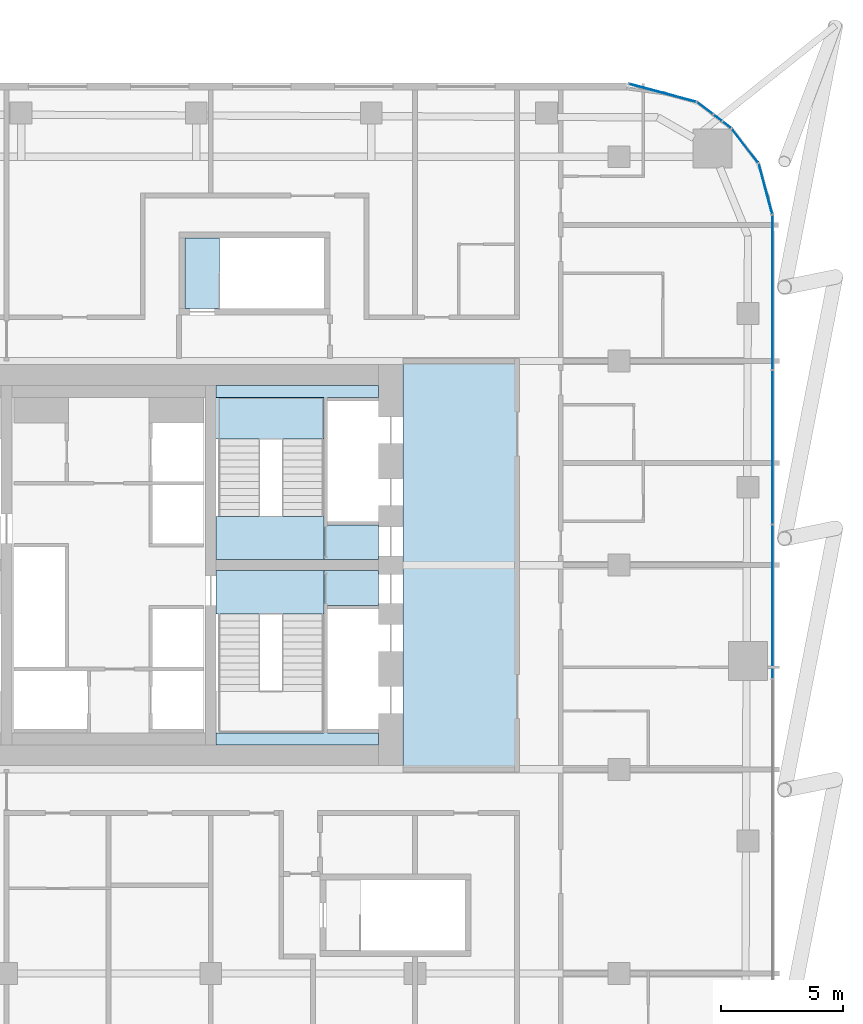
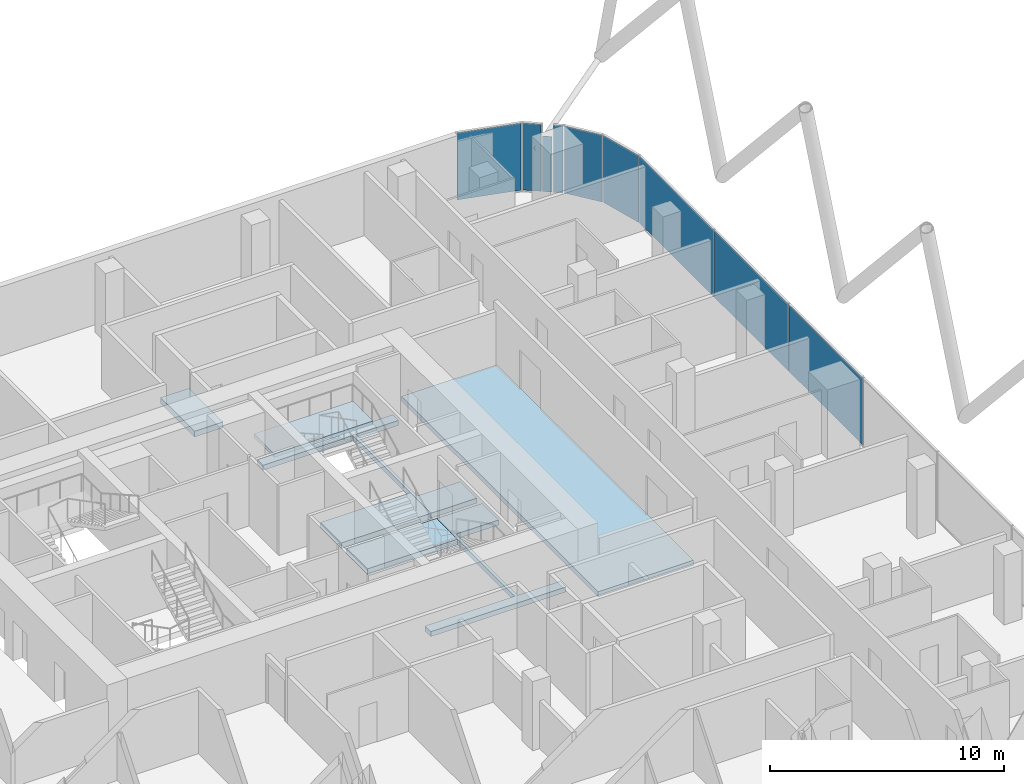
# One storey, part 25 of 34: 9 plates, 7 slabs, 8 elements without a shape of their own.
"""IFC4 building model written with IfcOpenShell, lengths in metres."""

from ifc_helpers import new_model, si_unit, direction, frame, origin, origin_2d, place, context, subcontext, project, spatial, polyline, rectangle, outline, extrude, material, layer, layer_set, type_object, element, aggregate, save


model = new_model("IFC4")

# Units and contexts
model_context = context("Model", 3, precision=1e-05, world=origin(), true_north=direction((0.0, 1.0)))
body_context = subcontext(model_context, "Body", "Model", "MODEL_VIEW")
ifc_project = project(units=[si_unit("LENGTHUNIT", "METRE"), si_unit("AREAUNIT", "SQUARE_METRE"), si_unit("VOLUMEUNIT", "CUBIC_METRE"), si_unit("PLANEANGLEUNIT", "RADIAN"), si_unit("MASSUNIT", "GRAM", prefix="KILO")], contexts=[model_context])

# Site, building, storey
site_placement = place(None, origin())
site = spatial("IfcSite", under=ifc_project, at=site_placement, CompositionType="ELEMENT")
building_placement = place(site_placement, origin())
building = spatial("IfcBuilding", under=site, at=building_placement, Name="Marenta Gate Hotel Tower", CompositionType="ELEMENT")
storey_placement = place(building_placement, frame((0.0, 0.0, 166.10009765625)))
storey = spatial("IfcBuildingStorey", under=building, at=storey_placement, Name="L39", CompositionType="ELEMENT", Elevation=166.10009765625)

# Slabs
ifc_material_1 = material(Name="Concrete C40", Category="concrete")
ifc_layer_1 = layer(ifc_material_1, 0.260009765625)
ifc_layer_set_1 = layer_set([ifc_layer_1], Name="Concrete C40")
slab_type_1 = type_object("IfcSlabType", Name="Core floor slab 260", PredefinedType="FLOOR", material=ifc_layer_set_1)
slab_1_placement = place(storey_placement, frame((0.0, 0.0, -0.260009765625)))
element("IfcSlab", 1, at=slab_1_placement, inside=storey, type_object=slab_type_1, Name="L39-CF-1", PredefinedType="FLOOR", context=body_context, shape_type="SweptSolid", body=[
    extrude(outline(polyline([(12.10009765625, 0.0), (12.10009765625, 16.800048828125), (16.800048828125, 16.800048828125), (16.800048828125, 0.0), (12.10009765625, 0.0)])), origin(), (0.0, 0.0, 1.0), 0.260009765625),
])
slab_2_placement = place(storey_placement, frame((0.0, 0.0, -0.260009765625)))
element("IfcSlab", 2, at=slab_2_placement, inside=storey, type_object=slab_type_1, Name="L39-CF-2", PredefinedType="FLOOR", context=body_context, shape_type="SweptSolid", body=[
    extrude(outline(polyline([(8.85009765625, 1.5), (8.85009765625, 6.39990234375), (8.85009765625, 8.10009765625), (8.85009765625, 8.175048828125), (11.10009765625, 8.175048828125), (11.10009765625, 6.75), (9.0, 6.75), (9.0, 6.60009765625), (9.0, 4.199951171875), (9.0, 4.050048828125), (9.0, 1.64990234375), (9.0, 1.5), (11.10009765625, 1.5), (11.10009765625, 1.0), (4.425048828125, 1.0), (4.425048828125, 1.5), (8.85009765625, 1.5)])), origin(), (0.0, 0.0, 1.0), 0.260009765625),
])
slab_3_placement = place(storey_placement, frame((0.0, 0.0, -0.260009765625)))
element("IfcSlab", 3, at=slab_3_placement, inside=storey, type_object=slab_type_1, Name="L39-CF-3", PredefinedType="FLOOR", context=body_context, shape_type="SweptSolid", body=[
    extrude(outline(polyline([(8.85009765625, 15.300048828125), (4.425048828125, 15.300048828125), (4.425048828125, 15.800048828125), (11.10009765625, 15.800048828125), (11.10009765625, 15.300048828125), (9.0, 15.300048828125), (9.0, 15.14990234375), (9.0, 12.75), (9.0, 12.60009765625), (9.0, 10.199951171875), (9.0, 10.050048828125), (11.10009765625, 10.050048828125), (11.10009765625, 8.625), (8.85009765625, 8.625), (8.85009765625, 8.699951171875), (8.85009765625, 10.39990234375), (8.85009765625, 15.300048828125)])), origin(), (0.0, 0.0, 1.0), 0.260009765625),
])

# Stair, slab
ifc_material_2 = material(Name="Concrete C40", Category="concrete")
stair_type = type_object("IfcStairType", Name="Core exit stair 1700 wide", PredefinedType="HALF_TURN_STAIR", material=ifc_material_2)
stair_placement = place(storey_placement, origin())
stair = element("IfcStair", 4, at=stair_placement, inside=storey, type_object=stair_type, Name="Exit stair 4", PredefinedType="HALF_TURN_STAIR")
ifc_material_3 = material(Name="Concrete C40", Category="concrete")
ifc_layer_2 = layer(ifc_material_3, 0.199951171875)
ifc_layer_set_2 = layer_set([ifc_layer_2], Name="Concrete C40")
slab_type_2 = type_object("IfcSlabType", Name="Core stair landing 200", PredefinedType="LANDING", material=ifc_layer_set_2)
slab_4_placement = place(storey_placement, frame((0.0, 0.0, 1.599853515625)))
slab_4 = element("IfcSlab", 5, at=slab_4_placement, type_object=slab_type_2, Name="SL-200 ST4 landing 1", PredefinedType="LANDING", context=body_context, shape_type="SweptSolid", body=[
    extrude(outline(polyline([(3.97509765625, 13.590087890625), (8.85009765625, 13.590087890625), (8.85009765625, 15.300048828125), (3.97509765625, 15.300048828125), (3.97509765625, 13.590087890625)])), origin(), (0.0, 0.0, 1.0), 0.199951171875),
])
aggregate(stair, [slab_4])

# Curtain wall, plates
ifc_material_4 = material(Name="Tinted insulated glass in bronze anodised frame", Category="glass")
ifc_layer_3 = layer(ifc_material_4, 0.1201171875)
ifc_layer_set_3 = layer_set([ifc_layer_3], Name="Tinted insulated glass in bronze anodised frame")
curtain_wall_type = type_object("IfcCurtainWallType", Name="Tower unitised curtain wall CW1", PredefinedType="NOTDEFINED", material=ifc_layer_set_3)
curtain_wall_1_placement = place(storey_placement, origin())
curtain_wall_1 = element("IfcCurtainWall", 6, at=curtain_wall_1_placement, inside=storey, type_object=curtain_wall_type, Name="CW1 run G19", PredefinedType="NOTDEFINED")
ifc_material_5 = material(Name="Tinted insulated glass", Category="glass")
ifc_layer_4 = layer(ifc_material_5, 0.028076171875)
ifc_layer_set_4 = layer_set([ifc_layer_4], Name="Tinted insulated glass")
plate_type = type_object("IfcPlateType", Name="Glass panel CW1 28 mm tinted insulated unit", PredefinedType="CURTAIN_PANEL", material=ifc_layer_set_4)
plate_1_placement = place(storey_placement, frame((27.31396484375, 6.891845703125, 0.059814453125), z_axis=(0.0, 0.0, 1.0), x_axis=(0.0, 1.0, 0.0)))
plate_1 = element("IfcPlate", 7, at=plate_1_placement, type_object=plate_type, Name="CW1 panel 4.1", PredefinedType="CURTAIN_PANEL", context=body_context, shape_type="SweptSolid", body=[
    extrude(rectangle(XDim=6.300048828125, YDim=0.028076171875, at=origin_2d()), origin(), (0.0, 0.0, 1.0), 3.47998046875),
])
plate_2_placement = place(storey_placement, frame((27.31396484375, 13.251953125, 0.059814453125), z_axis=(0.0, 0.0, 1.0), x_axis=(0.0, 1.0, 0.0)))
plate_2 = element("IfcPlate", 8, at=plate_2_placement, type_object=plate_type, Name="CW1 panel 5.1", PredefinedType="CURTAIN_PANEL", context=body_context, shape_type="SweptSolid", body=[
    extrude(rectangle(XDim=6.300048828125, YDim=0.028076171875, at=origin_2d()), origin(), (0.0, 0.0, 1.0), 3.47998046875),
])
plate_3_placement = place(storey_placement, frame((27.31396484375, 19.626953125, 0.059814453125), z_axis=(0.0, 0.0, 1.0), x_axis=(0.0, 1.0, 0.0)))
plate_3 = element("IfcPlate", 9, at=plate_3_placement, type_object=plate_type, Name="CW1 panel 6.1", PredefinedType="CURTAIN_PANEL", context=body_context, shape_type="SweptSolid", body=[
    extrude(rectangle(XDim=6.330078125, YDim=0.028076171875, at=origin_2d()), origin(), (0.0, 0.0, 1.0), 3.47998046875),
])
aggregate(curtain_wall_1, [plate_1, plate_2, plate_3])

# Curtain wall, plate
curtain_wall_2_placement = place(storey_placement, origin())
curtain_wall_2 = element("IfcCurtainWall", 10, at=curtain_wall_2_placement, inside=storey, type_object=curtain_wall_type, Name="CW1 run G20", PredefinedType="NOTDEFINED")
plate_4_placement = place(storey_placement, frame((27.022216796875, 23.880615234375, 0.059814453125), z_axis=(0.0, 0.0, 1.0), x_axis=(-0.258822651658, 0.965924859908, 0.0)))
plate_4 = element("IfcPlate", 11, at=plate_4_placement, type_object=plate_type, Name="CW1 panel 1.1", PredefinedType="CURTAIN_PANEL", context=body_context, shape_type="SweptSolid", body=[
    extrude(rectangle(XDim=2.13427734375, YDim=0.028076171875, at=origin_2d()), origin(), (0.0, 0.0, 1.0), 3.47998046875),
])
aggregate(curtain_wall_2, [plate_4])

curtain_wall_3_placement = place(storey_placement, origin())
curtain_wall_3 = element("IfcCurtainWall", 12, at=curtain_wall_3_placement, inside=storey, type_object=curtain_wall_type, Name="CW1 run G21", PredefinedType="NOTDEFINED")
plate_5_placement = place(storey_placement, frame((26.177490234375, 25.652099609375, 0.059814453125), z_axis=(0.0, 0.0, 1.0), x_axis=(-0.608796116694, 0.793326722289, 0.0)))
plate_5 = element("IfcPlate", 13, at=plate_5_placement, type_object=plate_type, Name="CW1 panel 1.1", PredefinedType="CURTAIN_PANEL", context=body_context, shape_type="SweptSolid", body=[
    extrude(rectangle(XDim=1.747802734375, YDim=0.028076171875, at=origin_2d()), origin(), (0.0, 0.0, 1.0), 3.47998046875),
])
aggregate(curtain_wall_3, [plate_5])

curtain_wall_4_placement = place(storey_placement, origin())
curtain_wall_4 = element("IfcCurtainWall", 14, at=curtain_wall_4_placement, inside=storey, type_object=curtain_wall_type, Name="CW1 run G22", PredefinedType="NOTDEFINED")
plate_6_placement = place(storey_placement, frame((25.4345703125, 26.50732421875, 0.059814453125), z_axis=(0.0, 0.0, 1.0), x_axis=(-0.793364080265, 0.608747432147, 0.0)))
plate_6 = element("IfcPlate", 15, at=plate_6_placement, type_object=plate_type, Name="CW1 panel 1.1", PredefinedType="CURTAIN_PANEL", context=body_context, shape_type="SweptSolid", body=[
    extrude(rectangle(XDim=0.411865234375, YDim=0.028076171875, at=origin_2d()), origin(), (0.0, 0.0, 1.0), 3.47998046875),
])
aggregate(curtain_wall_4, [plate_6])

curtain_wall_5_placement = place(storey_placement, origin())
curtain_wall_5 = element("IfcCurtainWall", 16, at=curtain_wall_5_placement, inside=storey, type_object=curtain_wall_type, Name="CW1 run G23", PredefinedType="NOTDEFINED")
plate_7_placement = place(storey_placement, frame((25.062255859375, 26.793212890625, 0.06005859375), z_axis=(0.0, 0.0, 1.0), x_axis=(-0.793347806496, 0.608768640723, 0.0)))
plate_7 = element("IfcPlate", 17, at=plate_7_placement, type_object=plate_type, Name="CW1 panel 1.1", PredefinedType="CURTAIN_PANEL", context=body_context, shape_type="SweptSolid", body=[
    extrude(rectangle(XDim=0.406982421875, YDim=0.028076171875, at=origin_2d()), origin(), (0.0, 0.0, 1.0), 2.880615234375),
])
aggregate(curtain_wall_5, [plate_7])

curtain_wall_6_placement = place(storey_placement, origin())
curtain_wall_6 = element("IfcCurtainWall", 18, at=curtain_wall_6_placement, inside=storey, type_object=curtain_wall_type, Name="CW1 run G24", PredefinedType="NOTDEFINED")
plate_8_placement = place(storey_placement, frame((24.5322265625, 27.19970703125, 0.059814453125), z_axis=(0.0, 0.0, 1.0), x_axis=(-0.793295108539, 0.608837310591, 0.0)))
plate_8 = element("IfcPlate", 19, at=plate_8_placement, type_object=plate_type, Name="CW1 panel 1.1", PredefinedType="CURTAIN_PANEL", context=body_context, shape_type="SweptSolid", body=[
    extrude(rectangle(XDim=0.80908203125, YDim=0.028076171875, at=origin_2d()), origin(), (0.0, 0.0, 1.0), 3.47998046875),
])
aggregate(curtain_wall_6, [plate_8])

curtain_wall_7_placement = place(storey_placement, origin())
curtain_wall_7 = element("IfcCurtainWall", 20, at=curtain_wall_7_placement, inside=storey, type_object=curtain_wall_type, Name="CW1 run G25", PredefinedType="NOTDEFINED")
plate_9_placement = place(storey_placement, frame((22.783935546875, 27.82861328125, 0.059814453125), z_axis=(0.0, 0.0, 1.0), x_axis=(-0.965929324305, 0.258805989975, 0.0)))
plate_9 = element("IfcPlate", 21, at=plate_9_placement, type_object=plate_type, Name="CW1 panel 1.1", PredefinedType="CURTAIN_PANEL", context=body_context, shape_type="SweptSolid", body=[
    extrude(rectangle(XDim=2.83544921875, YDim=0.028076171875, at=origin_2d()), origin(), (0.0, 0.0, 1.0), 3.47998046875),
])
aggregate(curtain_wall_7, [plate_9])

# Slabs
ifc_material_6 = material(Name="Concrete C40", Category="concrete")
ifc_layer_5 = layer(ifc_material_6, 0.300048828125)
ifc_layer_set_5 = layer_set([ifc_layer_5], Name="Concrete C40")
slab_type_3 = type_object("IfcSlabType", Name="Stair floor landing slab 300", PredefinedType="FLOOR", material=ifc_layer_set_5)
slab_5_placement = place(storey_placement, frame((0.0, 0.0, -0.300048828125)))
element("IfcSlab", 22, at=slab_5_placement, inside=storey, type_object=slab_type_3, Name="L39-CL-ST3-1", PredefinedType="FLOOR", context=body_context, shape_type="SweptSolid", body=[
    extrude(outline(polyline([(4.425048828125, 6.39990234375), (4.425048828125, 8.175048828125), (8.85009765625, 8.175048828125), (8.85009765625, 8.10009765625), (8.85009765625, 6.39990234375), (4.425048828125, 6.39990234375)])), origin(), (0.0, 0.0, 1.0), 0.300048828125),
])
slab_6_placement = place(storey_placement, frame((0.0, 0.0, -0.300048828125)))
element("IfcSlab", 23, at=slab_6_placement, inside=storey, type_object=slab_type_3, Name="L39-CL-ST4-1", PredefinedType="FLOOR", context=body_context, shape_type="SweptSolid", body=[
    extrude(outline(polyline([(4.425048828125, 8.625), (4.425048828125, 10.39990234375), (8.85009765625, 10.39990234375), (8.85009765625, 8.699951171875), (8.85009765625, 8.625), (4.425048828125, 8.625)])), origin(), (0.0, 0.0, 1.0), 0.300048828125),
])
slab_7_placement = place(storey_placement, frame((0.0, 0.0, -0.300048828125)))
element("IfcSlab", 24, at=slab_7_placement, inside=storey, type_object=slab_type_3, Name="L39-RS-Z2-4-CL", PredefinedType="FLOOR", context=body_context, shape_type="SweptSolid", body=[
    extrude(outline(polyline([(4.550048828125, 18.949951171875), (4.550048828125, 21.85009765625), (3.14990234375, 21.85009765625), (3.14990234375, 18.949951171875), (4.550048828125, 18.949951171875)])), origin(), (0.0, 0.0, 1.0), 0.300048828125),
])

save(model, "model.ifc")
